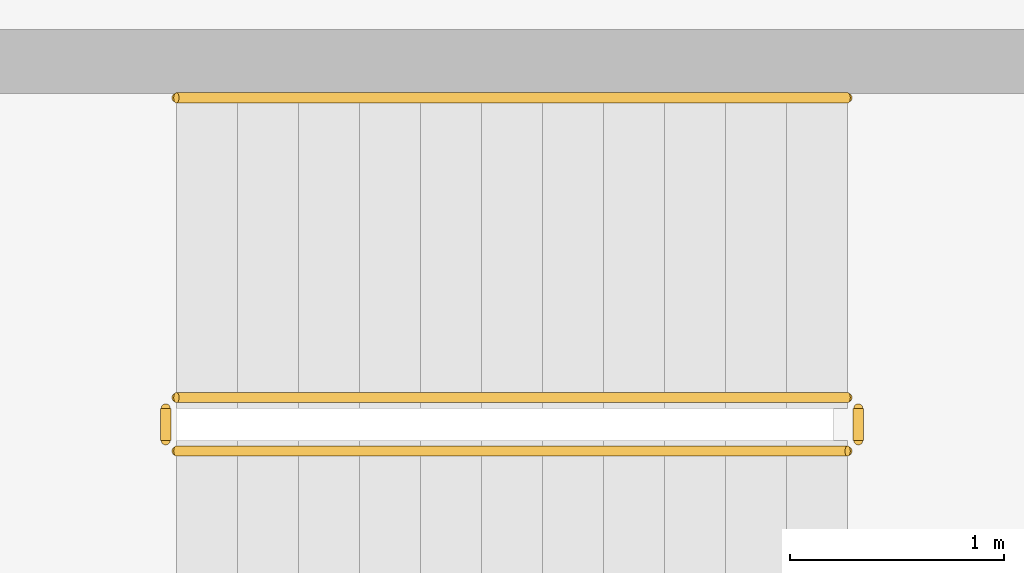
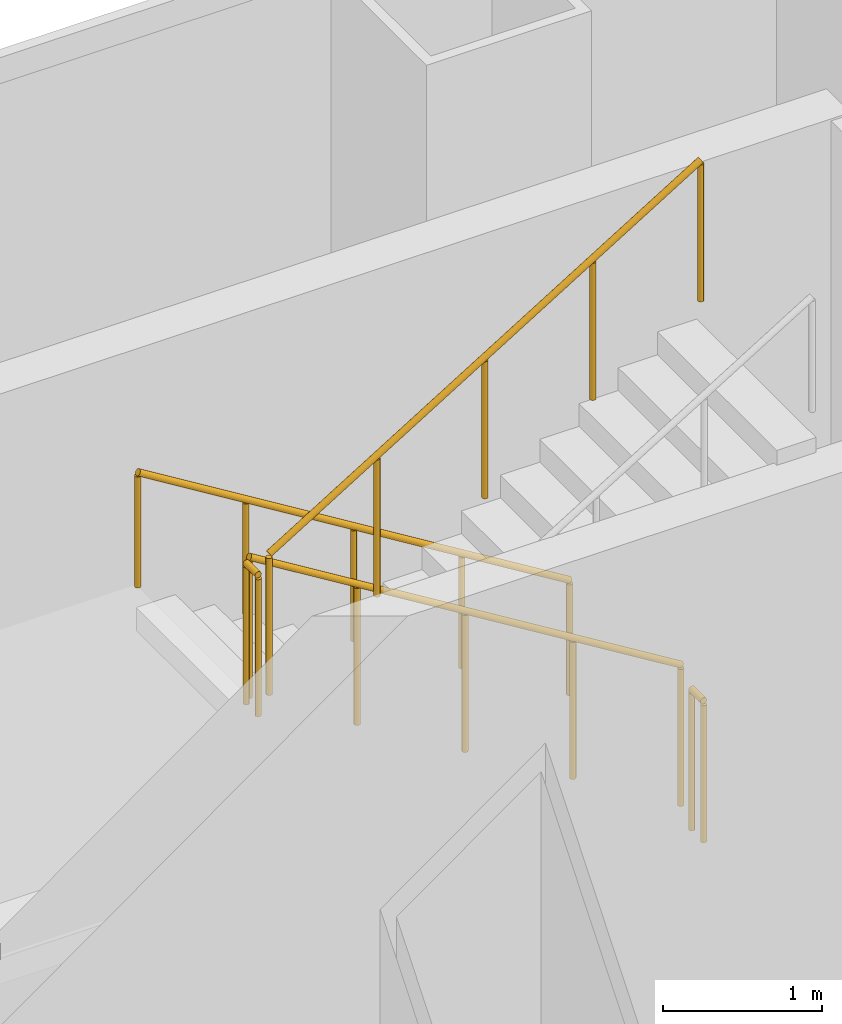
# One storey, part 29 of 29: 5 railings.
"""IFC4 building model written with IfcOpenShell, lengths in metres."""

from ifc_helpers import new_model, si_unit, direction, frame, origin, origin_2d, place, context, subcontext, project, spatial, circle, extrude, material, type_object, element, save


model = new_model("IFC4")

# Units and contexts
model_context = context("Model", 3, precision=1e-05, world=origin(), true_north=direction((0.0, 1.0)))
body_context = subcontext(model_context, "Body", "Model", "MODEL_VIEW")
ifc_project = project(units=[si_unit("LENGTHUNIT", "METRE"), si_unit("AREAUNIT", "SQUARE_METRE"), si_unit("VOLUMEUNIT", "CUBIC_METRE"), si_unit("PLANEANGLEUNIT", "RADIAN"), si_unit("MASSUNIT", "GRAM", prefix="KILO")], contexts=[model_context])

# Site, building, storey
site_placement = place(None, origin())
site = spatial("IfcSite", under=ifc_project, at=site_placement, CompositionType="ELEMENT")
building_placement = place(site_placement, origin())
building = spatial("IfcBuilding", under=site, at=building_placement, Name="Cobrela Telecom Tower", CompositionType="ELEMENT")
storey_placement = place(building_placement, frame((0.0, 0.0, 13.64990234375)))
storey = spatial("IfcBuildingStorey", under=building, at=storey_placement, Name="L03", CompositionType="ELEMENT", Elevation=13.64990234375)

# Railings
ifc_material = material(Name="Steel ASTM A36", Category="steel")
railing_type_1 = type_object("IfcRailingType", Name="RAIL-GUARD-1100", PredefinedType="GUARDRAIL", material=ifc_material)
railing_1_placement = place(storey_placement, frame((28.199951171875, 45.699951171875, 0.175048828125)))
element("IfcRailing", 1, at=railing_1_placement, inside=storey, type_object=railing_type_1, Name="L03 ST3 stair guard 1", PredefinedType="GUARDRAIL", context=body_context, shape_type="SweptSolid", body=[
    extrude(circle(Radius=0.02392578125, at=origin_2d()), frame((0.0, 0.0, 1.076171875), z_axis=(-0.852166034122, 0.0, 0.523271488128), x_axis=(0.0, -1.0, 0.0)), (0.0, 0.0, 1.0), 3.678955078125),
    extrude(circle(Radius=0.02099609375, at=origin_2d()), origin(), (0.0, 0.0, 1.0), 1.052001953125),
    extrude(circle(Radius=0.02099609375, at=origin_2d()), frame((-0.78369140625, 0.0, 0.481201171875)), (0.0, 0.0, 1.0), 1.052001953125),
    extrude(circle(Radius=0.02099609375, at=origin_2d()), frame((-1.5673828125, 0.0, 0.96240234375)), (0.0, 0.0, 1.0), 1.052001953125),
    extrude(circle(Radius=0.02099609375, at=origin_2d()), frame((-2.351318359375, 0.0, 1.44384765625)), (0.0, 0.0, 1.0), 1.052001953125),
    extrude(circle(Radius=0.02099609375, at=origin_2d()), frame((-3.135009765625, 0.0, 1.925048828125)), (0.0, 0.0, 1.0), 1.052001953125),
])
railing_2_placement = place(storey_placement, frame((25.014892578125, 45.64990234375, 2.10009765625)))
element("IfcRailing", 2, at=railing_2_placement, inside=storey, type_object=railing_type_1, Name="L03 ST3 stair guard 2", PredefinedType="GUARDRAIL", context=body_context, shape_type="SweptSolid", body=[
    extrude(circle(Radius=0.02392578125, at=origin_2d()), frame((0.0, 0.0, 1.076171875), z_axis=(0.0, -1.0, 0.0), x_axis=(1.0, 0.0, 0.0)), (0.0, 0.0, 1.0), 0.14990234375),
    extrude(circle(Radius=0.02099609375, at=origin_2d()), origin(), (0.0, 0.0, 1.0), 1.052001953125),
    extrude(circle(Radius=0.02099609375, at=origin_2d()), frame((0.0, -0.14990234375, 0.0)), (0.0, 0.0, 1.0), 1.052001953125),
])
railing_3_placement = place(storey_placement, frame((25.06494140625, 45.449951171875, 2.275146484375)))
element("IfcRailing", 3, at=railing_3_placement, inside=storey, type_object=railing_type_1, Name="L03 ST3 stair guard 4", PredefinedType="GUARDRAIL", context=body_context, shape_type="SweptSolid", body=[
    extrude(circle(Radius=0.02392578125, at=origin_2d()), frame((0.0, 0.0, 1.076171875), z_axis=(0.852166034122, 0.0, 0.523271488128), x_axis=(0.0, 1.0, 0.0)), (0.0, 0.0, 1.0), 3.678955078125),
    extrude(circle(Radius=0.02099609375, at=origin_2d()), origin(), (0.0, 0.0, 1.0), 1.052001953125),
    extrude(circle(Radius=0.02099609375, at=origin_2d()), frame((0.78369140625, 0.0, 0.481201171875)), (0.0, 0.0, 1.0), 1.052001953125),
    extrude(circle(Radius=0.02099609375, at=origin_2d()), frame((1.5673828125, 0.0, 0.96240234375)), (0.0, 0.0, 1.0), 1.052001953125),
    extrude(circle(Radius=0.02099609375, at=origin_2d()), frame((2.351318359375, 0.0, 1.44384765625)), (0.0, 0.0, 1.0), 1.052001953125),
    extrude(circle(Radius=0.02099609375, at=origin_2d()), frame((3.135009765625, 0.0, 1.925048828125)), (0.0, 0.0, 1.0), 1.052001953125),
])
railing_4_placement = place(storey_placement, frame((28.25, 45.64990234375, 0.0)))
element("IfcRailing", 4, at=railing_4_placement, inside=storey, type_object=railing_type_1, Name="L03 ST3 stair guard 5", PredefinedType="GUARDRAIL", context=body_context, shape_type="SweptSolid", body=[
    extrude(circle(Radius=0.02392578125, at=origin_2d()), frame((0.0, 0.0, 1.076171875), z_axis=(0.0, -1.0, 0.0), x_axis=(1.0, 0.0, 0.0)), (0.0, 0.0, 1.0), 0.14990234375),
    extrude(circle(Radius=0.02099609375, at=origin_2d()), origin(), (0.0, 0.0, 1.0), 1.052001953125),
    extrude(circle(Radius=0.02099609375, at=origin_2d()), frame((0.0, -0.14990234375, 0.0)), (0.0, 0.0, 1.0), 1.052001953125),
])
railing_type_2 = type_object("IfcRailingType", Name="RAIL-HAND-920", PredefinedType="HANDRAIL", material=ifc_material)
railing_5_placement = place(storey_placement, frame((28.199951171875, 47.10009765625, 0.175048828125)))
element("IfcRailing", 5, at=railing_5_placement, inside=storey, type_object=railing_type_2, Name="L03 ST3 stair handrail 1", PredefinedType="HANDRAIL", context=body_context, shape_type="SweptSolid", body=[
    extrude(circle(Radius=0.02392578125, at=origin_2d()), frame((0.0, 0.0, 0.8759765625), z_axis=(-0.852166034122, 0.0, 0.523271488128), x_axis=(0.0, -1.0, 0.0)), (0.0, 0.0, 1.0), 3.678955078125),
    extrude(circle(Radius=0.02099609375, at=origin_2d()), origin(), (0.0, 0.0, 1.0), 0.851806640625),
    extrude(circle(Radius=0.02099609375, at=origin_2d()), frame((-0.78369140625, 0.0, 0.481201171875)), (0.0, 0.0, 1.0), 0.851806640625),
    extrude(circle(Radius=0.02099609375, at=origin_2d()), frame((-1.5673828125, 0.0, 0.96240234375)), (0.0, 0.0, 1.0), 0.851806640625),
    extrude(circle(Radius=0.02099609375, at=origin_2d()), frame((-2.351318359375, 0.0, 1.44384765625)), (0.0, 0.0, 1.0), 0.851806640625),
    extrude(circle(Radius=0.02099609375, at=origin_2d()), frame((-3.135009765625, 0.0, 1.925048828125)), (0.0, 0.0, 1.0), 0.851806640625),
])

save(model, "model.ifc")
